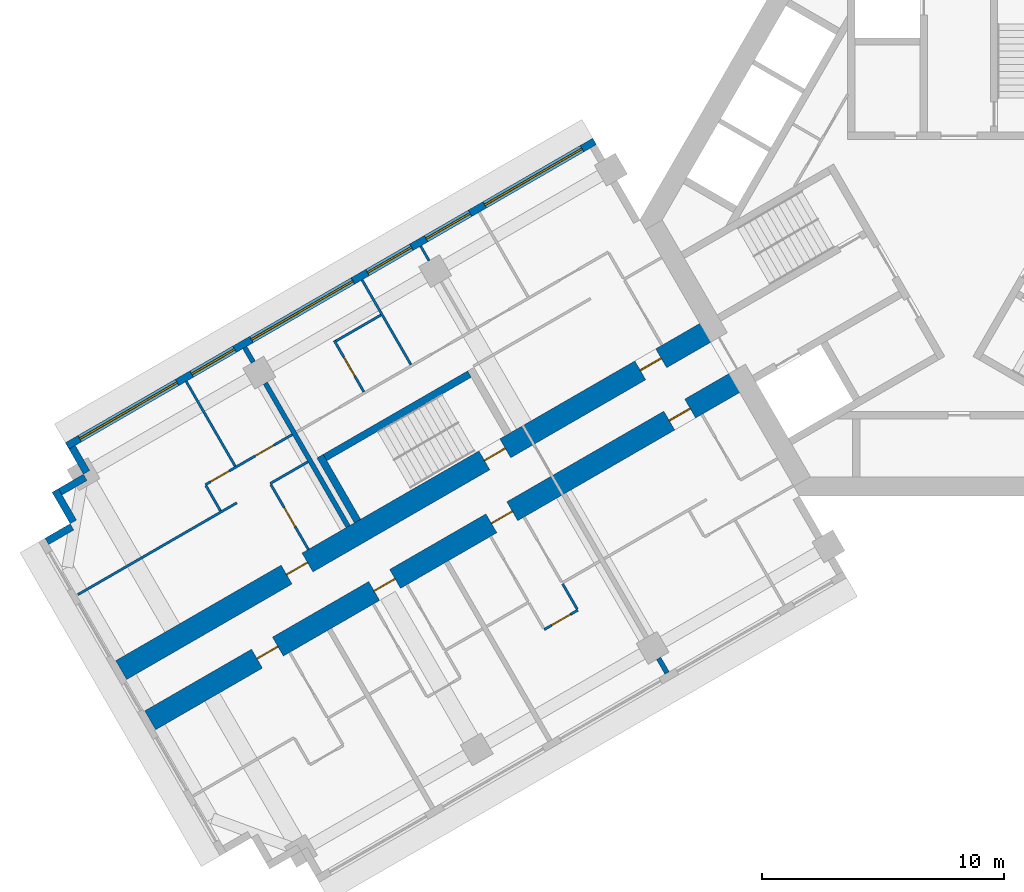
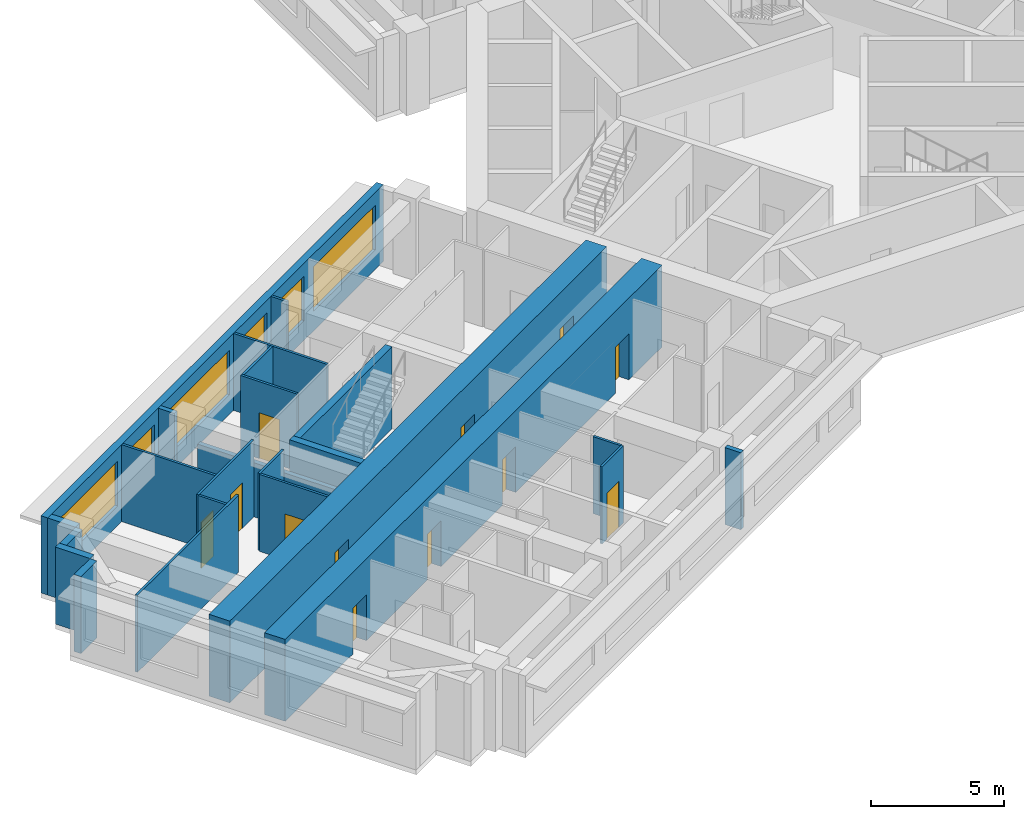
# One storey, part 3 of 13: 24 walls, 12 doors, 6 windows, 18 openings.
"""IFC4 building model written with IfcOpenShell, lengths in metres."""

from ifc_helpers import new_model, si_unit, direction, frame, frame_2d, origin, place, context, subcontext, project, spatial, rectangle, extrude, material, layer, layer_set, type_object, element, fill, save


model = new_model("IFC4")

# Units and contexts
model_context = context("Model", 3, precision=1e-05, world=origin(), true_north=direction((0.0, 1.0)))
body_context = subcontext(model_context, "Body", "Model", "MODEL_VIEW")
ifc_project = project(units=[si_unit("LENGTHUNIT", "METRE"), si_unit("AREAUNIT", "SQUARE_METRE"), si_unit("VOLUMEUNIT", "CUBIC_METRE"), si_unit("PLANEANGLEUNIT", "RADIAN"), si_unit("MASSUNIT", "GRAM", prefix="KILO")], contexts=[model_context])

# Site, building, storey
site_placement = place(None, origin())
site = spatial("IfcSite", under=ifc_project, at=site_placement, CompositionType="ELEMENT")
building_placement = place(site_placement, origin())
building = spatial("IfcBuilding", under=site, at=building_placement, Name="Impinga Residences", CompositionType="ELEMENT")
storey_placement = place(building_placement, frame((0.0, 0.0, 139.75)))
storey = spatial("IfcBuildingStorey", under=building, at=storey_placement, Name="L34", CompositionType="ELEMENT", Elevation=139.75)

# Wall, openings, doors
ifc_material_1 = material(Name="Concrete C60/75", Category="concrete")
ifc_layer_1 = layer(ifc_material_1, 0.89990234375)
ifc_layer_set_1 = layer_set([ifc_layer_1], Name="Concrete C60/75")
wall_type_1 = type_object("IfcWallType", Name="BW2 corridor buttress wall, L24 to L44 900", PredefinedType="SHEAR", material=ifc_layer_set_1)
wall_1_placement = place(storey_placement, frame((-8.95361328125, -6.554931640625, 0.0), z_axis=(0.0, 0.0, 1.0), x_axis=(-0.866023392092, -0.500003484338, 0.0)))
wall_1 = element("IfcWall", 1, at=wall_1_placement, inside=storey, type_object=wall_type_1, Name="Corridor wall BW2 WC L34", PredefinedType="SHEAR", context=body_context, shape_type="SweptSolid", body=[
    extrude(rectangle(XDim=28.300048828125, YDim=0.89990234375, at=frame_2d((14.14990234375, 0.0))), origin(), (0.0, 0.0, 1.0), 3.75),
])
opening_1_placement = place(wall_1_placement, frame((2.5, 0.0, 0.0)))
opening_1 = element("IfcOpeningElement", 2, at=opening_1_placement, cuts=wall_1, Name="Opening D1", PredefinedType="OPENING", context=body_context, shape_type="SweptSolid", body=[
    extrude(rectangle(XDim=1.0, YDim=2.10009765625, at=frame_2d((0.5, 1.050048828125))), frame((0.0, 0.4599609375, 0.0), z_axis=(0.0, -1.0, 0.0), x_axis=(1.0, 0.0, 0.0)), (0.0, 0.0, 1.0), 0.919921875),
])
opening_2_placement = place(wall_1_placement, frame((11.0, 0.0, 0.0)))
opening_2 = element("IfcOpeningElement", 3, at=opening_2_placement, cuts=wall_1, Name="Opening D1", PredefinedType="OPENING", context=body_context, shape_type="SweptSolid", body=[
    extrude(rectangle(XDim=1.0, YDim=2.10009765625, at=frame_2d((0.5, 1.050048828125))), frame((0.0, 0.4599609375, 0.0), z_axis=(0.0, -1.0, 0.0), x_axis=(1.0, 0.0, 0.0)), (0.0, 0.0, 1.0), 0.919921875),
])
opening_3_placement = place(wall_1_placement, frame((16.60009765625, 0.0, 0.0)))
opening_3 = element("IfcOpeningElement", 4, at=opening_3_placement, cuts=wall_1, Name="Opening D1", PredefinedType="OPENING", context=body_context, shape_type="SweptSolid", body=[
    extrude(rectangle(XDim=1.0, YDim=2.10009765625, at=frame_2d((0.5, 1.050048828125))), frame((0.0, 0.4599609375, 0.0), z_axis=(0.0, -1.0, 0.0), x_axis=(1.0, 0.0, 0.0)), (0.0, 0.0, 1.0), 0.919921875),
])
opening_4_placement = place(wall_1_placement, frame((22.199951171875, 0.0, 0.0)))
opening_4 = element("IfcOpeningElement", 5, at=opening_4_placement, cuts=wall_1, Name="Opening D1", PredefinedType="OPENING", context=body_context, shape_type="SweptSolid", body=[
    extrude(rectangle(XDim=1.0, YDim=2.10009765625, at=frame_2d((0.5, 1.050048828125))), frame((0.0, 0.4599609375, 0.0), z_axis=(0.0, -1.0, 0.0), x_axis=(1.0, 0.0, 0.0)), (0.0, 0.0, 1.0), 0.919921875),
])
ifc_material_2 = material(Name="Timber door set", Category="wood")
door_type_1 = type_object("IfcDoorType", Name="D1 apartment entrance door 1000x2100", OperationType="SINGLE_SWING_LEFT", PredefinedType="DOOR", material=ifc_material_2)
door_1_placement = place(opening_1_placement, origin())
door_1 = element("IfcDoor", 6, at=door_1_placement, inside=storey, type_object=door_type_1, Name="Apartment L34-WA1 entrance", OperationType="SINGLE_SWING_LEFT", OverallHeight=2.10009765625, OverallWidth=1.0, PredefinedType="DOOR", context=body_context, shape_type="SweptSolid", body=[
    extrude(rectangle(XDim=1.0, YDim=2.10009765625, at=frame_2d((0.5, 1.050048828125))), frame((0.0, 0.02490234375, 0.0), z_axis=(0.0, -1.0, 0.0), x_axis=(1.0, 0.0, 0.0)), (0.0, 0.0, 1.0), 0.050048828125),
])
fill(opening_1, door_1)
door_2_placement = place(opening_2_placement, origin())
door_2 = element("IfcDoor", 7, at=door_2_placement, inside=storey, type_object=door_type_1, Name="Apartment L34-WA2 entrance", OperationType="SINGLE_SWING_LEFT", OverallHeight=2.10009765625, OverallWidth=1.0, PredefinedType="DOOR", context=body_context, shape_type="SweptSolid", body=[
    extrude(rectangle(XDim=1.0, YDim=2.10009765625, at=frame_2d((0.5, 1.050048828125))), frame((0.0, 0.02490234375, 0.0), z_axis=(0.0, -1.0, 0.0), x_axis=(1.0, 0.0, 0.0)), (0.0, 0.0, 1.0), 0.050048828125),
])
fill(opening_2, door_2)
door_3_placement = place(opening_3_placement, origin())
door_3 = element("IfcDoor", 8, at=door_3_placement, inside=storey, type_object=door_type_1, Name="Apartment L34-WA3 entrance", OperationType="SINGLE_SWING_RIGHT", OverallHeight=2.10009765625, OverallWidth=1.0, PredefinedType="DOOR", context=body_context, shape_type="SweptSolid", body=[
    extrude(rectangle(XDim=1.0, YDim=2.10009765625, at=frame_2d((0.5, 1.050048828125))), frame((0.0, 0.02490234375, 0.0), z_axis=(0.0, -1.0, 0.0), x_axis=(1.0, 0.0, 0.0)), (0.0, 0.0, 1.0), 0.050048828125),
])
fill(opening_3, door_3)
door_4_placement = place(opening_4_placement, origin())
door_4 = element("IfcDoor", 9, at=door_4_placement, inside=storey, type_object=door_type_1, Name="Apartment L34-WA4 entrance", OperationType="SINGLE_SWING_RIGHT", OverallHeight=2.10009765625, OverallWidth=1.0, PredefinedType="DOOR", context=body_context, shape_type="SweptSolid", body=[
    extrude(rectangle(XDim=1.0, YDim=2.10009765625, at=frame_2d((0.5, 1.050048828125))), frame((0.0, 0.02490234375, 0.0), z_axis=(0.0, -1.0, 0.0), x_axis=(1.0, 0.0, 0.0)), (0.0, 0.0, 1.0), 0.050048828125),
])
fill(opening_4, door_4)

wall_2_placement = place(storey_placement, frame((-10.153564453125, -4.4765625, 0.0), z_axis=(0.0, 0.0, 1.0), x_axis=(-0.866027127636, -0.49999701419, 0.0)))
wall_2 = element("IfcWall", 10, at=wall_2_placement, inside=storey, type_object=wall_type_1, Name="Corridor wall BW2 WD L34", PredefinedType="SHEAR", context=body_context, shape_type="SweptSolid", body=[
    extrude(rectangle(XDim=28.300048828125, YDim=0.89990234375, at=frame_2d((14.14990234375, 0.0))), origin(), (0.0, 0.0, 1.0), 3.75),
])
opening_5_placement = place(wall_2_placement, frame((9.949951171875, 0.0, 0.0)))
opening_5 = element("IfcOpeningElement", 11, at=opening_5_placement, cuts=wall_2, Name="Opening D5", PredefinedType="OPENING", context=body_context, shape_type="SweptSolid", body=[
    extrude(rectangle(XDim=1.0, YDim=2.10009765625, at=frame_2d((0.5, 1.050048828125))), frame((0.0, 0.4599609375, 0.0), z_axis=(0.0, -1.0, 0.0), x_axis=(1.0, 0.0, 0.0)), (0.0, 0.0, 1.0), 0.919921875),
])
opening_6_placement = place(wall_2_placement, frame((2.5, 0.0, 0.0)))
opening_6 = element("IfcOpeningElement", 12, at=opening_6_placement, cuts=wall_2, Name="Opening D1", PredefinedType="OPENING", context=body_context, shape_type="SweptSolid", body=[
    extrude(rectangle(XDim=1.0, YDim=2.10009765625, at=frame_2d((0.5, 1.050048828125))), frame((0.0, 0.4599609375, 0.0), z_axis=(0.0, -1.0, 0.0), x_axis=(1.0, 0.0, 0.0)), (0.0, 0.0, 1.0), 0.919921875),
])
opening_7_placement = place(wall_2_placement, frame((19.39990234375, 0.0, 0.0)))
opening_7 = element("IfcOpeningElement", 13, at=opening_7_placement, cuts=wall_2, Name="Opening D1", PredefinedType="OPENING", context=body_context, shape_type="SweptSolid", body=[
    extrude(rectangle(XDim=1.0, YDim=2.10009765625, at=frame_2d((0.5, 1.050048828125))), frame((0.0, 0.4599609375, 0.0), z_axis=(0.0, -1.0, 0.0), x_axis=(1.0, 0.0, 0.0)), (0.0, 0.0, 1.0), 0.919921875),
])
door_5_placement = place(opening_6_placement, origin())
door_5 = element("IfcDoor", 14, at=door_5_placement, inside=storey, type_object=door_type_1, Name="Apartment L34-WF1 entrance", OperationType="SINGLE_SWING_LEFT", OverallHeight=2.10009765625, OverallWidth=1.0, PredefinedType="DOOR", context=body_context, shape_type="SweptSolid", body=[
    extrude(rectangle(XDim=1.0, YDim=2.10009765625, at=frame_2d((0.5, 1.050048828125))), frame((0.0, 0.02490234375, 0.0), z_axis=(0.0, -1.0, 0.0), x_axis=(1.0, 0.0, 0.0)), (0.0, 0.0, 1.0), 0.050048828125),
])
fill(opening_6, door_5)
door_6_placement = place(opening_7_placement, origin())
door_6 = element("IfcDoor", 15, at=door_6_placement, inside=storey, type_object=door_type_1, Name="Apartment L34-WF2 entrance", OperationType="SINGLE_SWING_RIGHT", OverallHeight=2.10009765625, OverallWidth=1.0, PredefinedType="DOOR", context=body_context, shape_type="SweptSolid", body=[
    extrude(rectangle(XDim=1.0, YDim=2.10009765625, at=frame_2d((0.5, 1.050048828125))), frame((0.0, 0.02490234375, 0.0), z_axis=(0.0, -1.0, 0.0), x_axis=(1.0, 0.0, 0.0)), (0.0, 0.0, 1.0), 0.050048828125),
])
fill(opening_7, door_6)
door_type_2 = type_object("IfcDoorType", Name="D5 stair door 1000x2100", OperationType="SINGLE_SWING_LEFT", PredefinedType="DOOR", material=ifc_material_2)
door_7_placement = place(opening_5_placement, origin())
door_7 = element("IfcDoor", 16, at=door_7_placement, inside=storey, type_object=door_type_2, Name="Wing stair door W", OperationType="SINGLE_SWING_LEFT", OverallHeight=2.10009765625, OverallWidth=1.0, PredefinedType="DOOR", context=body_context, shape_type="SweptSolid", body=[
    extrude(rectangle(XDim=1.0, YDim=2.10009765625, at=frame_2d((0.5, 1.050048828125))), frame((0.0, 0.02490234375, 0.0), z_axis=(0.0, -1.0, 0.0), x_axis=(1.0, 0.0, 0.0)), (0.0, 0.0, 1.0), 0.050048828125),
])
fill(opening_5, door_7)

# Walls
ifc_material_3 = material(Name="Terracotta rainscreen on blockwork", Category="masonry")
ifc_layer_2 = layer(ifc_material_3, 0.300048828125)
ifc_layer_set_2 = layer_set([ifc_layer_2], Name="EW1 external wall, terracotta rainscreen on blockwork 300")
wall_type_2 = type_object("IfcWallType", Name="EW1 external wall, terracotta rainscreen on blockwork 300", PredefinedType="SOLIDWALL", material=ifc_layer_set_2)
wall_3_placement = place(storey_placement, frame((-37.737060546875, -13.300537109375, 0.0), z_axis=(0.0, 0.0, 1.0), x_axis=(0.865971243484, 0.500093796661, 0.0)))
element("IfcWall", 17, at=wall_3_placement, inside=storey, type_object=wall_type_2, Name="External wall EW1 L34", PredefinedType="SOLIDWALL", context=body_context, shape_type="SweptSolid", body=[
    extrude(rectangle(XDim=1.195068359375, YDim=0.300048828125, at=frame_2d((0.59765625, 0.0))), origin(), (0.0, 0.0, 1.0), 3.530029296875),
])
wall_4_placement = place(storey_placement, frame((-36.64306640625, -12.49560546875, 0.0), z_axis=(0.0, 0.0, 1.0), x_axis=(-0.499990139034, 0.866031096941, 0.0)))
element("IfcWall", 18, at=wall_4_placement, inside=storey, type_object=wall_type_2, Name="External wall EW1 L34", PredefinedType="SOLIDWALL", context=body_context, shape_type="SweptSolid", body=[
    extrude(rectangle(XDim=1.5, YDim=0.300048828125, at=frame_2d((0.75, 0.0))), origin(), (0.0, 0.0, 1.0), 3.530029296875),
])
wall_5_placement = place(storey_placement, frame((-37.18798828125, -11.25146484375, 0.0), z_axis=(0.0, 0.0, 1.0), x_axis=(0.866059708757, 0.499940577336, 0.0)))
element("IfcWall", 19, at=wall_5_placement, inside=storey, type_object=wall_type_2, Name="External wall EW1 L34", PredefinedType="SOLIDWALL", context=body_context, shape_type="SweptSolid", body=[
    extrude(rectangle(XDim=1.195068359375, YDim=0.300048828125, at=frame_2d((0.59765625, 0.0))), origin(), (0.0, 0.0, 1.0), 3.530029296875),
])
wall_6_placement = place(storey_placement, frame((-36.093994140625, -10.446533203125, 0.0), z_axis=(0.0, 0.0, 1.0), x_axis=(-0.499880961361, 0.866094119867, 0.0)))
element("IfcWall", 20, at=wall_6_placement, inside=storey, type_object=wall_type_2, Name="External wall EW1 L34", PredefinedType="SOLIDWALL", context=body_context, shape_type="SweptSolid", body=[
    extrude(rectangle(XDim=1.199951171875, YDim=0.300048828125, at=frame_2d((0.60009765625, 0.0))), origin(), (0.0, 0.0, 1.0), 3.530029296875),
])

# Wall, openings, windows
wall_7_placement = place(storey_placement, frame((-36.89892578125, -9.352294921875, 0.0), z_axis=(0.0, 0.0, 1.0), x_axis=(0.86602925447, 0.499993330357, 0.0)))
wall_7 = element("IfcWall", 21, at=wall_7_placement, inside=storey, type_object=wall_type_2, Name="External wall EW1 L34", PredefinedType="SOLIDWALL", context=body_context, shape_type="SweptSolid", body=[
    extrude(rectangle(XDim=25.199951171875, YDim=0.300048828125, at=frame_2d((12.60009765625, 0.0))), origin(), (0.0, 0.0, 1.0), 3.530029296875),
])
opening_8_placement = place(wall_7_placement, frame((0.60009765625, 0.0, 0.89990234375)))
opening_8 = element("IfcOpeningElement", 22, at=opening_8_placement, cuts=wall_7, Name="Opening W10", PredefinedType="OPENING", context=body_context, shape_type="SweptSolid", body=[
    extrude(rectangle(XDim=4.64990234375, YDim=2.050048828125, at=frame_2d((2.324951171875, 1.02490234375))), frame((0.0, 0.159912109375, 0.0), z_axis=(0.0, -1.0, 0.0), x_axis=(1.0, 0.0, 0.0)), (0.0, 0.0, 1.0), 0.320068359375),
])
opening_9_placement = place(wall_7_placement, frame((5.949951171875, 0.0, 0.89990234375)))
opening_9 = element("IfcOpeningElement", 23, at=opening_9_placement, cuts=wall_7, Name="Opening W14", PredefinedType="OPENING", context=body_context, shape_type="SweptSolid", body=[
    extrude(rectangle(XDim=2.050048828125, YDim=2.050048828125, at=frame_2d((1.02490234375, 1.02490234375))), frame((0.0, 0.159912109375, 0.0), z_axis=(0.0, -1.0, 0.0), x_axis=(1.0, 0.0, 0.0)), (0.0, 0.0, 1.0), 0.320068359375),
])
opening_10_placement = place(wall_7_placement, frame((8.800048828125, 0.0, 0.89990234375)))
opening_10 = element("IfcOpeningElement", 24, at=opening_10_placement, cuts=wall_7, Name="Opening W6", PredefinedType="OPENING", context=body_context, shape_type="SweptSolid", body=[
    extrude(rectangle(XDim=4.85009765625, YDim=2.050048828125, at=frame_2d((2.425048828125, 1.02490234375))), frame((0.0, 0.159912109375, 0.0), z_axis=(0.0, -1.0, 0.0), x_axis=(1.0, 0.0, 0.0)), (0.0, 0.0, 1.0), 0.320068359375),
])
opening_11_placement = place(wall_7_placement, frame((14.35009765625, 0.0, 0.89990234375)))
opening_11 = element("IfcOpeningElement", 25, at=opening_11_placement, cuts=wall_7, Name="Opening W9", PredefinedType="OPENING", context=body_context, shape_type="SweptSolid", body=[
    extrude(rectangle(XDim=2.10009765625, YDim=2.050048828125, at=frame_2d((1.050048828125, 1.02490234375))), frame((0.0, 0.159912109375, 0.0), z_axis=(0.0, -1.0, 0.0), x_axis=(1.0, 0.0, 0.0)), (0.0, 0.0, 1.0), 0.320068359375),
])
opening_12_placement = place(wall_7_placement, frame((17.14990234375, 0.0, 0.89990234375)))
opening_12 = element("IfcOpeningElement", 26, at=opening_12_placement, cuts=wall_7, Name="Opening W9", PredefinedType="OPENING", context=body_context, shape_type="SweptSolid", body=[
    extrude(rectangle(XDim=2.10009765625, YDim=2.050048828125, at=frame_2d((1.050048828125, 1.02490234375))), frame((0.0, 0.159912109375, 0.0), z_axis=(0.0, -1.0, 0.0), x_axis=(1.0, 0.0, 0.0)), (0.0, 0.0, 1.0), 0.320068359375),
])
opening_13_placement = place(wall_7_placement, frame((19.949951171875, 0.0, 0.89990234375)))
opening_13 = element("IfcOpeningElement", 27, at=opening_13_placement, cuts=wall_7, Name="Opening W10", PredefinedType="OPENING", context=body_context, shape_type="SweptSolid", body=[
    extrude(rectangle(XDim=4.64990234375, YDim=2.050048828125, at=frame_2d((2.324951171875, 1.02490234375))), frame((0.0, 0.159912109375, 0.0), z_axis=(0.0, -1.0, 0.0), x_axis=(1.0, 0.0, 0.0)), (0.0, 0.0, 1.0), 0.320068359375),
])
ifc_material_4 = material(Name="Aluminium window, clear double glazing", Category="aluminium")
window_type_1 = type_object("IfcWindowType", Name="W10 ribbon window 4650x2050", PartitioningType="SINGLE_PANEL", PredefinedType="WINDOW", material=ifc_material_4)
window_1_placement = place(opening_8_placement, origin())
window_1 = element("IfcWindow", 28, at=window_1_placement, inside=storey, type_object=window_type_1, Name="Window L34", OverallHeight=2.050048828125, OverallWidth=4.64990234375, PartitioningType="SINGLE_PANEL", PredefinedType="WINDOW", context=body_context, shape_type="SweptSolid", body=[
    extrude(rectangle(XDim=4.64990234375, YDim=2.050048828125, at=frame_2d((2.324951171875, 1.02490234375))), frame((0.0, 0.030029296875, 0.0), z_axis=(0.0, -1.0, 0.0), x_axis=(1.0, 0.0, 0.0)), (0.0, 0.0, 1.0), 0.06005859375),
])
fill(opening_8, window_1)
window_2_placement = place(opening_13_placement, origin())
window_2 = element("IfcWindow", 29, at=window_2_placement, inside=storey, type_object=window_type_1, Name="Window L34", OverallHeight=2.050048828125, OverallWidth=4.64990234375, PartitioningType="SINGLE_PANEL", PredefinedType="WINDOW", context=body_context, shape_type="SweptSolid", body=[
    extrude(rectangle(XDim=4.64990234375, YDim=2.050048828125, at=frame_2d((2.324951171875, 1.02490234375))), frame((0.0, 0.030029296875, 0.0), z_axis=(0.0, -1.0, 0.0), x_axis=(1.0, 0.0, 0.0)), (0.0, 0.0, 1.0), 0.06005859375),
])
fill(opening_13, window_2)
window_type_2 = type_object("IfcWindowType", Name="W14 ribbon window 2050x2050", PartitioningType="SINGLE_PANEL", PredefinedType="WINDOW", material=ifc_material_4)
window_3_placement = place(opening_9_placement, origin())
window_3 = element("IfcWindow", 30, at=window_3_placement, inside=storey, type_object=window_type_2, Name="Window L34", OverallHeight=2.050048828125, OverallWidth=2.050048828125, PartitioningType="SINGLE_PANEL", PredefinedType="WINDOW", context=body_context, shape_type="SweptSolid", body=[
    extrude(rectangle(XDim=2.050048828125, YDim=2.050048828125, at=frame_2d((1.02490234375, 1.02490234375))), frame((0.0, 0.030029296875, 0.0), z_axis=(0.0, -1.0, 0.0), x_axis=(1.0, 0.0, 0.0)), (0.0, 0.0, 1.0), 0.06005859375),
])
fill(opening_9, window_3)
window_type_3 = type_object("IfcWindowType", Name="W6 ribbon window 4850x2050", PartitioningType="SINGLE_PANEL", PredefinedType="WINDOW", material=ifc_material_4)
window_4_placement = place(opening_10_placement, origin())
window_4 = element("IfcWindow", 31, at=window_4_placement, inside=storey, type_object=window_type_3, Name="Window L34", OverallHeight=2.050048828125, OverallWidth=4.85009765625, PartitioningType="SINGLE_PANEL", PredefinedType="WINDOW", context=body_context, shape_type="SweptSolid", body=[
    extrude(rectangle(XDim=4.85009765625, YDim=2.050048828125, at=frame_2d((2.425048828125, 1.02490234375))), frame((0.0, 0.030029296875, 0.0), z_axis=(0.0, -1.0, 0.0), x_axis=(1.0, 0.0, 0.0)), (0.0, 0.0, 1.0), 0.06005859375),
])
fill(opening_10, window_4)
window_type_4 = type_object("IfcWindowType", Name="W9 ribbon window 2100x2050", PartitioningType="SINGLE_PANEL", PredefinedType="WINDOW", material=ifc_material_4)
window_5_placement = place(opening_11_placement, origin())
window_5 = element("IfcWindow", 32, at=window_5_placement, inside=storey, type_object=window_type_4, Name="Window L34", OverallHeight=2.050048828125, OverallWidth=2.10009765625, PartitioningType="SINGLE_PANEL", PredefinedType="WINDOW", context=body_context, shape_type="SweptSolid", body=[
    extrude(rectangle(XDim=2.10009765625, YDim=2.050048828125, at=frame_2d((1.050048828125, 1.02490234375))), frame((0.0, 0.030029296875, 0.0), z_axis=(0.0, -1.0, 0.0), x_axis=(1.0, 0.0, 0.0)), (0.0, 0.0, 1.0), 0.06005859375),
])
fill(opening_11, window_5)
window_6_placement = place(opening_12_placement, origin())
window_6 = element("IfcWindow", 33, at=window_6_placement, inside=storey, type_object=window_type_4, Name="Window L34", OverallHeight=2.050048828125, OverallWidth=2.10009765625, PartitioningType="SINGLE_PANEL", PredefinedType="WINDOW", context=body_context, shape_type="SweptSolid", body=[
    extrude(rectangle(XDim=2.10009765625, YDim=2.050048828125, at=frame_2d((1.050048828125, 1.02490234375))), frame((0.0, 0.030029296875, 0.0), z_axis=(0.0, -1.0, 0.0), x_axis=(1.0, 0.0, 0.0)), (0.0, 0.0, 1.0), 0.06005859375),
])
fill(opening_12, window_6)

# Wall, opening, door
ifc_material_5 = material(Name="Gypsum board on steel studs", Category="steel")
ifc_layer_3 = layer(ifc_material_5, 0.10009765625)
ifc_layer_set_3 = layer_set([ifc_layer_3], Name="Gypsum board on steel studs")
wall_type_3 = type_object("IfcWallType", Name="IP1 partition 100", PredefinedType="PARTITIONING", material=ifc_layer_set_3)
wall_8_placement = place(storey_placement, frame((-15.77001953125, -16.1484375, 0.0), z_axis=(0.0, 0.0, 1.0), x_axis=(-0.866028054938, -0.499995408039, 0.0)))
wall_8 = element("IfcWall", 34, at=wall_8_placement, inside=storey, type_object=wall_type_3, Name="Partition L34-WA2:STRIP", PredefinedType="PARTITIONING", context=body_context, shape_type="SweptSolid", body=[
    extrude(rectangle(XDim=1.60009765625, YDim=0.10009765625, at=frame_2d((0.800048828125, 0.0))), origin(), (0.0, 0.0, 1.0), 3.530029296875),
])
opening_14_placement = place(wall_8_placement, frame((0.35009765625, 0.0, 0.0)))
opening_14 = element("IfcOpeningElement", 35, at=opening_14_placement, cuts=wall_8, Name="Opening D2", PredefinedType="OPENING", context=body_context, shape_type="SweptSolid", body=[
    extrude(rectangle(XDim=0.89990234375, YDim=2.10009765625, at=frame_2d((0.449951171875, 1.050048828125))), frame((0.0, 0.06005859375, 0.0), z_axis=(0.0, -1.0, 0.0), x_axis=(1.0, 0.0, 0.0)), (0.0, 0.0, 1.0), 0.1201171875),
])
door_type_3 = type_object("IfcDoorType", Name="D2 internal door 900x2100", OperationType="SINGLE_SWING_LEFT", PredefinedType="DOOR", material=ifc_material_2)
door_8_placement = place(opening_14_placement, origin())
door_8 = element("IfcDoor", 36, at=door_8_placement, inside=storey, type_object=door_type_3, Name="Apartment L34-WA2 room door", OperationType="SINGLE_SWING_LEFT", OverallHeight=2.10009765625, OverallWidth=0.89990234375, PredefinedType="DOOR", context=body_context, shape_type="SweptSolid", body=[
    extrude(rectangle(XDim=0.89990234375, YDim=2.10009765625, at=frame_2d((0.449951171875, 1.050048828125))), frame((0.0, 0.02490234375, 0.0), z_axis=(0.0, -1.0, 0.0), x_axis=(1.0, 0.0, 0.0)), (0.0, 0.0, 1.0), 0.050048828125),
])
fill(opening_14, door_8)

# Walls
wall_9_placement = place(storey_placement, frame((-16.39501953125, -15.06591796875, 0.0), z_axis=(0.0, 0.0, 1.0), x_axis=(0.499880961361, -0.866094119867, 0.0)))
element("IfcWall", 37, at=wall_9_placement, inside=storey, type_object=wall_type_3, Name="Partition L34-WA2:SE0", PredefinedType="PARTITIONING", context=body_context, shape_type="SweptSolid", body=[
    extrude(rectangle(XDim=1.199951171875, YDim=0.10009765625, at=frame_2d((0.60009765625, 0.0))), origin(), (0.0, 0.0, 1.0), 3.530029296875),
])
wall_10_placement = place(storey_placement, frame((-21.924560546875, -1.6884765625, 0.0), z_axis=(0.0, 0.0, 1.0), x_axis=(-0.500114896893, 0.865959057869, 0.0)))
element("IfcWall", 38, at=wall_10_placement, inside=storey, type_object=wall_type_3, Name="Partition L34-WF1:OB2b", PredefinedType="PARTITIONING", context=body_context, shape_type="SweptSolid", body=[
    extrude(rectangle(XDim=0.699951171875, YDim=0.10009765625, at=frame_2d((0.35009765625, 0.0))), origin(), (0.0, 0.0, 1.0), 3.530029296875),
])
wall_11_placement = place(storey_placement, frame((-22.674560546875, -5.98974609375, 0.0), z_axis=(0.0, 0.0, 1.0), x_axis=(-0.499990325971, 0.866030989016, 0.0)))
element("IfcWall", 39, at=wall_11_placement, inside=storey, type_object=wall_type_3, Name="Partition L34-WF1:OB3", PredefinedType="PARTITIONING", context=body_context, shape_type="SweptSolid", body=[
    extrude(rectangle(XDim=4.0498046875, YDim=0.10009765625, at=frame_2d((2.02490234375, 0.0))), origin(), (0.0, 0.0, 1.0), 3.530029296875),
])

# Wall, opening, door
wall_12_placement = place(storey_placement, frame((-24.623046875, -7.11474609375, 0.0), z_axis=(0.0, 0.0, 1.0), x_axis=(-0.500018594424, 0.866014668023, 0.0)))
wall_12 = element("IfcWall", 40, at=wall_12_placement, inside=storey, type_object=wall_type_3, Name="Partition L34-WF1:EN1", PredefinedType="PARTITIONING", context=body_context, shape_type="SweptSolid", body=[
    extrude(rectangle(XDim=2.4501953125, YDim=0.10009765625, at=frame_2d((1.22509765625, 0.0))), origin(), (0.0, 0.0, 1.0), 3.530029296875),
])
opening_15_placement = place(wall_12_placement, frame((0.75, 0.0, 0.0)))
opening_15 = element("IfcOpeningElement", 41, at=opening_15_placement, cuts=wall_12, Name="Opening D2", PredefinedType="OPENING", context=body_context, shape_type="SweptSolid", body=[
    extrude(rectangle(XDim=0.89990234375, YDim=2.10009765625, at=frame_2d((0.449951171875, 1.050048828125))), frame((0.0, 0.06005859375, 0.0), z_axis=(0.0, -1.0, 0.0), x_axis=(1.0, 0.0, 0.0)), (0.0, 0.0, 1.0), 0.1201171875),
])
door_9_placement = place(opening_15_placement, origin())
door_9 = element("IfcDoor", 42, at=door_9_placement, inside=storey, type_object=door_type_3, Name="Apartment L34-WF1 en-suite door", OperationType="SINGLE_SWING_LEFT", OverallHeight=2.10009765625, OverallWidth=0.89990234375, PredefinedType="DOOR", context=body_context, shape_type="SweptSolid", body=[
    extrude(rectangle(XDim=0.89990234375, YDim=2.10009765625, at=frame_2d((0.449951171875, 1.050048828125))), frame((0.0, 0.02490234375, 0.0), z_axis=(0.0, -1.0, 0.0), x_axis=(1.0, 0.0, 0.0)), (0.0, 0.0, 1.0), 0.050048828125),
])
fill(opening_15, door_9)

# Walls
wall_13_placement = place(storey_placement, frame((-23.917724609375, -3.936279296875, 0.0), z_axis=(0.0, 0.0, 1.0), x_axis=(-0.866047553582, -0.499961633463, 0.0)))
element("IfcWall", 43, at=wall_13_placement, inside=storey, type_object=wall_type_3, Name="Partition L34-WF1:EN2", PredefinedType="PARTITIONING", context=body_context, shape_type="SweptSolid", body=[
    extrude(rectangle(XDim=2.150146484375, YDim=0.10009765625, at=frame_2d((1.0751953125, 0.0))), origin(), (0.0, 0.0, 1.0), 3.530029296875),
])
wall_14_placement = place(storey_placement, frame((-26.935791015625, -10.0087890625, 0.0), z_axis=(0.0, 0.0, 1.0), x_axis=(-0.865989075817, -0.500062916607, 0.0)))
element("IfcWall", 44, at=wall_14_placement, inside=storey, type_object=wall_type_3, Name="Partition L34-WF2:DIV0", PredefinedType="PARTITIONING", context=body_context, shape_type="SweptSolid", body=[
    extrude(rectangle(XDim=1.800048828125, YDim=0.10009765625, at=frame_2d((0.89990234375, 0.0))), origin(), (0.0, 0.0, 1.0), 3.530029296875),
])
wall_15_placement = place(storey_placement, frame((-29.88037109375, -11.708740234375, 0.0), z_axis=(0.0, 0.0, 1.0), x_axis=(-0.866022425744, -0.500005158081, 0.0)))
element("IfcWall", 45, at=wall_15_placement, inside=storey, type_object=wall_type_3, Name="Partition L34-WF2:DIV1", PredefinedType="PARTITIONING", context=body_context, shape_type="SweptSolid", body=[
    extrude(rectangle(XDim=7.60009765625, YDim=0.10009765625, at=frame_2d((3.800048828125, 0.0))), origin(), (0.0, 0.0, 1.0), 3.530029296875),
])

# Wall, openings, doors
wall_16_placement = place(storey_placement, frame((-27.5859375, -8.883056640625, 0.0), z_axis=(0.0, 0.0, 1.0), x_axis=(-0.86602981871, -0.499992353047, 0.0)))
wall_16 = element("IfcWall", 46, at=wall_16_placement, inside=storey, type_object=wall_type_3, Name="Partition L34-WF2:STRIP", PredefinedType="PARTITIONING", context=body_context, shape_type="SweptSolid", body=[
    extrude(rectangle(XDim=4.14990234375, YDim=0.10009765625, at=frame_2d((2.074951171875, 0.0))), origin(), (0.0, 0.0, 1.0), 3.530029296875),
])
opening_16_placement = place(wall_16_placement, frame((0.875, 0.0, 0.0)))
opening_16 = element("IfcOpeningElement", 47, at=opening_16_placement, cuts=wall_16, Name="Opening D2", PredefinedType="OPENING", context=body_context, shape_type="SweptSolid", body=[
    extrude(rectangle(XDim=0.89990234375, YDim=2.10009765625, at=frame_2d((0.449951171875, 1.050048828125))), frame((0.0, 0.06005859375, 0.0), z_axis=(0.0, -1.0, 0.0), x_axis=(1.0, 0.0, 0.0)), (0.0, 0.0, 1.0), 0.1201171875),
])
opening_17_placement = place(wall_16_placement, frame((3.0, 0.0, 0.0)))
opening_17 = element("IfcOpeningElement", 48, at=opening_17_placement, cuts=wall_16, Name="Opening D2", PredefinedType="OPENING", context=body_context, shape_type="SweptSolid", body=[
    extrude(rectangle(XDim=0.89990234375, YDim=2.10009765625, at=frame_2d((0.449951171875, 1.050048828125))), frame((0.0, 0.06005859375, 0.0), z_axis=(0.0, -1.0, 0.0), x_axis=(1.0, 0.0, 0.0)), (0.0, 0.0, 1.0), 0.1201171875),
])
door_10_placement = place(opening_16_placement, origin())
door_10 = element("IfcDoor", 49, at=door_10_placement, inside=storey, type_object=door_type_3, Name="Apartment L34-WF2 room door", OperationType="SINGLE_SWING_LEFT", OverallHeight=2.10009765625, OverallWidth=0.89990234375, PredefinedType="DOOR", context=body_context, shape_type="SweptSolid", body=[
    extrude(rectangle(XDim=0.89990234375, YDim=2.10009765625, at=frame_2d((0.449951171875, 1.050048828125))), frame((0.0, 0.02490234375, 0.0), z_axis=(0.0, -1.0, 0.0), x_axis=(1.0, 0.0, 0.0)), (0.0, 0.0, 1.0), 0.050048828125),
])
fill(opening_16, door_10)
door_11_placement = place(opening_17_placement, origin())
door_11 = element("IfcDoor", 50, at=door_11_placement, inside=storey, type_object=door_type_3, Name="Apartment L34-WF2 room door", OperationType="SINGLE_SWING_RIGHT", OverallHeight=2.10009765625, OverallWidth=0.89990234375, PredefinedType="DOOR", context=body_context, shape_type="SweptSolid", body=[
    extrude(rectangle(XDim=0.89990234375, YDim=2.10009765625, at=frame_2d((0.449951171875, 1.050048828125))), frame((0.0, 0.02490234375, 0.0), z_axis=(0.0, -1.0, 0.0), x_axis=(1.0, 0.0, 0.0)), (0.0, 0.0, 1.0), 0.050048828125),
])
fill(opening_17, door_11)

# Wall
wall_17_placement = place(storey_placement, frame((-30.554931640625, -12.04052734375, 0.0), z_axis=(0.0, 0.0, 1.0), x_axis=(-0.499880961361, 0.866094119867, 0.0)))
element("IfcWall", 51, at=wall_17_placement, inside=storey, type_object=wall_type_3, Name="Partition L34-WF2:SE1", PredefinedType="PARTITIONING", context=body_context, shape_type="SweptSolid", body=[
    extrude(rectangle(XDim=1.199951171875, YDim=0.10009765625, at=frame_2d((0.60009765625, 0.0))), origin(), (0.0, 0.0, 1.0), 3.530029296875),
])

# Wall, opening, door
wall_18_placement = place(storey_placement, frame((-26.919677734375, -13.63671875, 0.0), z_axis=(0.0, 0.0, 1.0), x_axis=(-0.500026960575, 0.86600983753, 0.0)))
wall_18 = element("IfcWall", 52, at=wall_18_placement, inside=storey, type_object=wall_type_3, Name="Partition L34-WF2:IB1", PredefinedType="PARTITIONING", context=body_context, shape_type="SweptSolid", body=[
    extrude(rectangle(XDim=3.099853515625, YDim=0.10009765625, at=frame_2d((1.5498046875, 0.0))), origin(), (0.0, 0.0, 1.0), 3.530029296875),
])
opening_18_placement = place(wall_18_placement, frame((1.10009765625, 0.0, 0.0)))
opening_18 = element("IfcOpeningElement", 53, at=opening_18_placement, cuts=wall_18, Name="Opening D2", PredefinedType="OPENING", context=body_context, shape_type="SweptSolid", body=[
    extrude(rectangle(XDim=0.89990234375, YDim=2.10009765625, at=frame_2d((0.449951171875, 1.050048828125))), frame((0.0, 0.06005859375, 0.0), z_axis=(0.0, -1.0, 0.0), x_axis=(1.0, 0.0, 0.0)), (0.0, 0.0, 1.0), 0.1201171875),
])
door_12_placement = place(opening_18_placement, origin())
door_12 = element("IfcDoor", 54, at=door_12_placement, inside=storey, type_object=door_type_3, Name="Apartment L34-WF2 bathroom door", OperationType="SINGLE_SWING_LEFT", OverallHeight=2.10009765625, OverallWidth=0.89990234375, PredefinedType="DOOR", context=body_context, shape_type="SweptSolid", body=[
    extrude(rectangle(XDim=0.89990234375, YDim=2.10009765625, at=frame_2d((0.449951171875, 1.050048828125))), frame((0.0, 0.02490234375, 0.0), z_axis=(0.0, -1.0, 0.0), x_axis=(1.0, 0.0, 0.0)), (0.0, 0.0, 1.0), 0.050048828125),
])
fill(opening_18, door_12)

# Walls
wall_19_placement = place(storey_placement, frame((-29.94921875, -10.189697265625, 0.0), z_axis=(0.0, 0.0, 1.0), x_axis=(-0.499990325971, 0.866030989016, 0.0)))
element("IfcWall", 55, at=wall_19_placement, inside=storey, type_object=wall_type_3, Name="Partition L34-WF2:OB1", PredefinedType="PARTITIONING", context=body_context, shape_type="SweptSolid", body=[
    extrude(rectangle(XDim=4.0498046875, YDim=0.10009765625, at=frame_2d((2.02490234375, 0.0))), origin(), (0.0, 0.0, 1.0), 3.530029296875),
])
ifc_material_6 = material(Name="Concrete blockwork", Category="masonry")
ifc_layer_4 = layer(ifc_material_6, 0.199951171875)
ifc_layer_set_4 = layer_set([ifc_layer_4], Name="PW1 party wall between apartments 200")
wall_type_4 = type_object("IfcWallType", Name="PW1 party wall between apartments 200", PredefinedType="SOLIDWALL", material=ifc_layer_set_4)
wall_20_placement = place(storey_placement, frame((-12.424560546875, -18.14306640625, 0.0), z_axis=(0.0, 0.0, 1.0), x_axis=(0.499853302173, -0.866110083249, 0.0)))
element("IfcWall", 56, at=wall_20_placement, inside=storey, type_object=wall_type_4, Name="Party wall between apartments L34-WA1:PARTYb", PredefinedType="SOLIDWALL", context=body_context, shape_type="SweptSolid", body=[
    extrude(rectangle(XDim=0.699951171875, YDim=0.199951171875, at=frame_2d((0.35009765625, 0.0))), origin(), (0.0, 0.0, 1.0), 3.530029296875),
])
wall_21_placement = place(storey_placement, frame((-25.274169921875, -12.686767578125, 0.0), z_axis=(0.0, 0.0, 1.0), x_axis=(-0.500014519185, 0.866017020967, 0.0)))
element("IfcWall", 57, at=wall_21_placement, inside=storey, type_object=wall_type_4, Name="Party wall between apartments L34-WF1:PARTY", PredefinedType="SOLIDWALL", context=body_context, shape_type="SweptSolid", body=[
    extrude(rectangle(XDim=6.849853515625, YDim=0.199951171875, at=frame_2d((3.4248046875, 0.0))), origin(), (0.0, 0.0, 1.0), 2.47998046875),
])
wall_22_placement = place(storey_placement, frame((-29.19921875, -5.888427734375, 0.0), z_axis=(0.0, 0.0, 1.0), x_axis=(-0.500114896893, 0.865959057869, 0.0)))
element("IfcWall", 58, at=wall_22_placement, inside=storey, type_object=wall_type_4, Name="Party wall between apartments L34-WF1:PARTYb", PredefinedType="SOLIDWALL", context=body_context, shape_type="SweptSolid", body=[
    extrude(rectangle(XDim=0.699951171875, YDim=0.199951171875, at=frame_2d((0.35009765625, 0.0))), origin(), (0.0, 0.0, 1.0), 3.530029296875),
])
ifc_layer_5 = layer(ifc_material_1, 0.300048828125)
ifc_layer_set_5 = layer_set([ifc_layer_5], Name="Concrete C60/75")
wall_type_5 = type_object("IfcWallType", Name="SE1 wing stair enclosure wall 300", PredefinedType="SOLIDWALL", material=ifc_layer_set_5)
wall_23_placement = place(storey_placement, frame((-24.884521484375, -12.4619140625, 0.0), z_axis=(0.0, 0.0, 1.0), x_axis=(-0.49999285859, 0.86602952684, 0.0)))
element("IfcWall", 59, at=wall_23_placement, inside=storey, type_object=wall_type_5, Name="Stair enclosure wall SE1 W END1 L34", PredefinedType="SOLIDWALL", context=body_context, shape_type="SweptSolid", body=[
    extrude(rectangle(XDim=3.10009765625, YDim=0.300048828125, at=frame_2d((1.550048828125, 0.0))), origin(), (0.0, 0.0, 1.0), 3.75),
])
wall_24_placement = place(storey_placement, frame((-20.254150390625, -6.382080078125, 0.0), z_axis=(0.0, 0.0, 1.0), x_axis=(-0.866020008033, -0.500009345598, 0.0)))
element("IfcWall", 60, at=wall_24_placement, inside=storey, type_object=wall_type_5, Name="Stair enclosure wall SE1 W OUT L34", PredefinedType="SOLIDWALL", context=body_context, shape_type="SweptSolid", body=[
    extrude(rectangle(XDim=6.899658203125, YDim=0.300048828125, at=frame_2d((3.44970703125, 0.0))), origin(), (0.0, 0.0, 1.0), 3.75),
])

save(model, "model.ifc")
